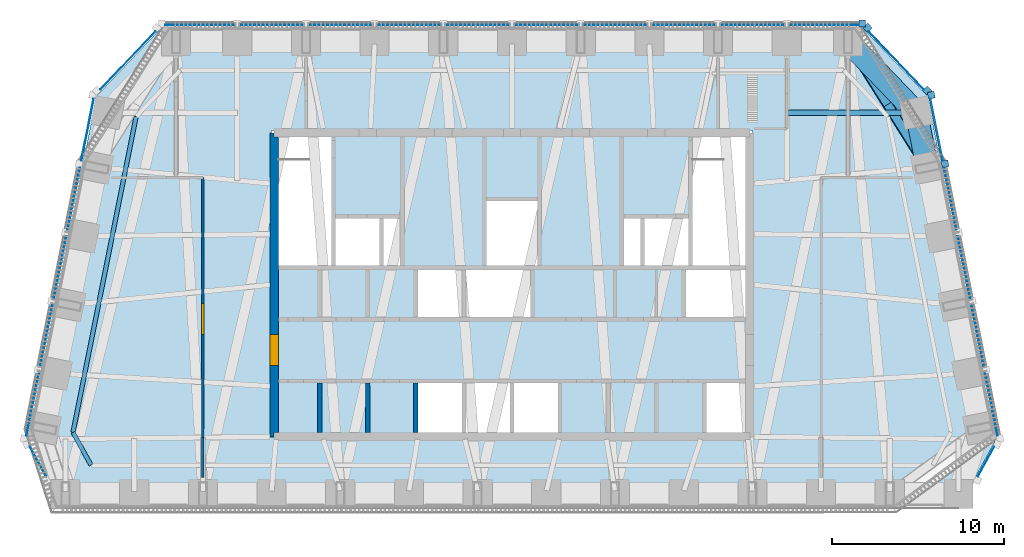
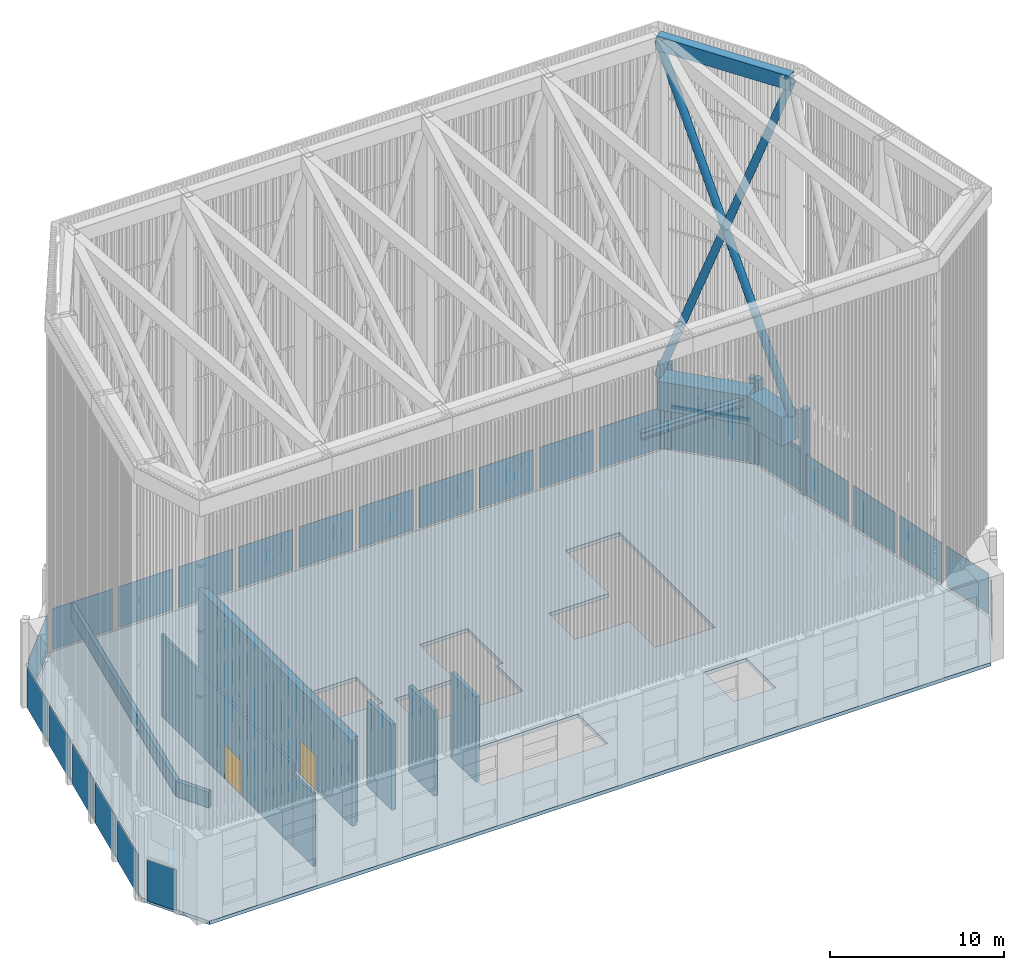
# One storey, part 4 of 15: 24 plates, 10 members, 8 walls, 3 beams, 2 doors, 1 slab, 2 openings, 7 elements without a shape of their own.
"""IFC4 building model written with IfcOpenShell, lengths in metres."""

from ifc_helpers import new_model, si_unit, direction, frame, frame_2d, origin, origin_2d, place, context, subcontext, project, spatial, polyline, rectangle, hollow_rectangle, hollow_circle, i_section, outline, extrude, material, layer, layer_set, material_profile, profile_set, type_object, element, fill, aggregate, save


model = new_model("IFC4")

# Units and contexts
model_context = context("Model", 3, precision=1e-05, world=origin(), true_north=direction((0.0, 1.0)))
body_context = subcontext(model_context, "Body", "Model", "MODEL_VIEW")
ifc_project = project(units=[si_unit("LENGTHUNIT", "METRE"), si_unit("AREAUNIT", "SQUARE_METRE"), si_unit("VOLUMEUNIT", "CUBIC_METRE"), si_unit("PLANEANGLEUNIT", "RADIAN"), si_unit("MASSUNIT", "GRAM", prefix="KILO")], contexts=[model_context])

# Site, building, storey
site_placement = place(None, origin())
site = spatial("IfcSite", under=ifc_project, at=site_placement, CompositionType="ELEMENT")
building_placement = place(site_placement, origin())
building = spatial("IfcBuilding", under=site, at=building_placement, Name="Isbrekke Arena Tower", CompositionType="ELEMENT")
storey_placement = place(building_placement, frame((0.0, 0.0, 324.0)))
storey = spatial("IfcBuildingStorey", under=building, at=storey_placement, Name="L76", CompositionType="ELEMENT", Elevation=324.0)

# Beam
ifc_material_1 = material(Name="Steel S355", Category="steel")
ifc_material_profile_1 = material_profile(ifc_material_1, i_section(OverallWidth=0.305908203125, OverallDepth=0.52392578125, WebThickness=0.02099609375, FlangeThickness=0.0400390625, FilletRadius=0.027099609375, at=origin_2d()), Name="HEM 500")
ifc_profile_set_1 = profile_set([ifc_material_profile_1], Name="Steel S355")
beam_type_1 = type_object("IfcBeamType", Name="B5 HEM 500", PredefinedType="BEAM", material=ifc_profile_set_1)
beam_1_placement = place(storey_placement, frame((23.40283203125, 25.029296875, 5.488037109375), z_axis=(-1.0, 0.0, 0.0), x_axis=(0.0, -1.0, 0.0)))
element("IfcBeam", 1, at=beam_1_placement, inside=storey, type_object=beam_type_1, Name="B5 beam E-E06 L76", PredefinedType="BEAM", context=body_context, shape_type="SweptSolid", body=[
    extrude(i_section(OverallWidth=0.305908203125, OverallDepth=0.52392578125, WebThickness=0.02099609375, FlangeThickness=0.0400390625, FilletRadius=0.027099609375, at=origin_2d()), origin(), (0.0, 0.0, 1.0), 7.40283203125),
])

# Members
ifc_material_2 = material(Name="Steel S355", Category="steel")
ifc_material_profile_2 = material_profile(ifc_material_2, hollow_rectangle(XDim=0.60009765625, YDim=1.0, WallThickness=0.030029296875, at=origin_2d()), Name="BOX 600x1000x30")
ifc_profile_set_2 = profile_set([ifc_material_profile_2], Name="Steel S355")
member_type_1 = type_object("IfcMemberType", Name="CF2 CROWN FRAME CAP RING BOX 600x1000x30", PredefinedType="USERDEFINED", material=ifc_profile_set_2)
member_1_placement = place(storey_placement, frame((24.19091796875, 21.838134765625, 29.5), z_axis=(-0.532518167412, 0.846418573388, 0.0), x_axis=(-0.846418573388, -0.532518167412, 0.0)))
element("IfcMember", 2, at=member_1_placement, inside=storey, type_object=member_type_1, Name="CF2 crown frame cap ring E05", ObjectType="CROWN FRAME CAP RING", PredefinedType="USERDEFINED", context=body_context, shape_type="SweptSolid", body=[
    extrude(hollow_rectangle(XDim=0.60009765625, YDim=1.0, WallThickness=0.030029296875, at=origin_2d()), origin(), (0.0, 0.0, 1.0), 8.668212890625),
])
ifc_material_3 = material(Name="Steel S355", Category="steel")
ifc_material_profile_3 = material_profile(ifc_material_3, hollow_circle(Radius=0.25390625, WallThickness=0.02001953125, at=origin_2d()), Name="CHS 508x20")
ifc_profile_set_3 = profile_set([ifc_material_profile_3], Name="Steel S355")
member_type_2 = type_object("IfcMemberType", Name="CF3 CROWN FRAME BRACE CHS 508x20", PredefinedType="BRACE", material=ifc_profile_set_3)
for number, where, z_axis, x_axis, name in (
    (3, (24.19091796875, 21.838134765625, 6.0), (-0.184287025429, 0.292917633056, 0.938209759331), (-0.846418573388, -0.532518167412, 0.0), "CF3 crown frame brace E05 1"),
    (4, (19.574951171875, 29.175048828125, 6.0), (0.184287025429, -0.292917633056, 0.938209759331), (0.846418573388, 0.532518167412, 0.0), "CF3 crown frame brace E05 2"),
):
    element("IfcMember", number, at=place(storey_placement, frame(where, z_axis=z_axis, x_axis=x_axis)), inside=storey, type_object=member_type_2, Name=name, PredefinedType="BRACE", context=body_context, shape_type="SweptSolid", body=[
        extrude(hollow_circle(Radius=0.25390625, WallThickness=0.02001953125, at=origin_2d()), origin(), (0.0, 0.0, 1.0), 25.047607421875),
    ])

# Curtain wall, members
ifc_material_4 = material(Name="Glazed aluminium curtain wall", Category="aluminium")
curtain_wall_type = type_object("IfcCurtainWallType", Name="CWR PLANT LOUVRE WALL", PredefinedType="USERDEFINED", material=ifc_material_4)
curtain_wall_1_placement = place(storey_placement, origin())
curtain_wall_1 = element("IfcCurtainWall", 5, at=curtain_wall_1_placement, inside=storey, type_object=curtain_wall_type, Name="CWR curtain wall L76-E", ObjectType="PLANT LOUVRE WALL", PredefinedType="USERDEFINED")
ifc_material_5 = material(Name="Aluminium mullion, pale brick slip cladding", Category="masonry")
ifc_material_profile_4 = material_profile(ifc_material_5, rectangle(XDim=0.39990234375, YDim=0.39990234375, at=origin_2d()), Name="PIER 400X400")
ifc_profile_set_4 = profile_set([ifc_material_profile_4], Name="Aluminium mullion, pale brick slip cladding")
member_type_3 = type_object("IfcMemberType", Name="CWR-M PIER MULLION 400 x 400", PredefinedType="MULLION", material=ifc_profile_set_4)
member_2_placement = place(storey_placement, frame((25.220703125, 22.044189453125, 0.0), z_axis=(0.0, 0.0, 1.0), x_axis=(-0.196116135138, 0.980580675691, 0.0)))
member_2 = element("IfcMember", 6, at=member_2_placement, type_object=member_type_3, Name="CWR-M mullion 5", PredefinedType="MULLION", context=body_context, shape_type="SweptSolid", body=[
    extrude(rectangle(XDim=0.39990234375, YDim=0.39990234375, at=origin_2d()), origin(), (0.0, 0.0, 1.0), 6.0),
])
member_3_placement = place(storey_placement, frame((24.420654296875, 26.044189453125, 0.0), z_axis=(0.0, 0.0, 1.0), x_axis=(-0.196116135138, 0.980580675691, 0.0)))
member_3 = element("IfcMember", 7, at=member_3_placement, type_object=member_type_3, Name="CWR-M mullion 6", PredefinedType="MULLION", context=body_context, shape_type="SweptSolid", body=[
    extrude(rectangle(XDim=0.39990234375, YDim=0.39990234375, at=origin_2d()), origin(), (0.0, 0.0, 1.0), 6.0),
])

curtain_wall_2_placement = place(storey_placement, origin())
curtain_wall_2 = element("IfcCurtainWall", 8, at=curtain_wall_2_placement, inside=storey, type_object=curtain_wall_type, Name="CWR curtain wall L76-EN", ObjectType="PLANT LOUVRE WALL", PredefinedType="USERDEFINED")
member_4_placement = place(storey_placement, frame((24.189208984375, 26.3017578125, 0.0), z_axis=(0.0, 0.0, 1.0), x_axis=(-0.68874946192, 0.72499943359, 0.0)))
member_4 = element("IfcMember", 9, at=member_4_placement, type_object=member_type_3, Name="CWR-M mullion 1", PredefinedType="MULLION", context=body_context, shape_type="SweptSolid", body=[
    extrude(rectangle(XDim=0.39990234375, YDim=0.39990234375, at=origin_2d()), origin(), (0.0, 0.0, 1.0), 6.0),
])
member_5_placement = place(storey_placement, frame((20.705322265625, 29.968994140625, 0.0), z_axis=(0.0, 0.0, 1.0), x_axis=(-0.68874946192, 0.72499943359, 0.0)))
member_5 = element("IfcMember", 10, at=member_5_placement, type_object=member_type_3, Name="CWR-M mullion 2", PredefinedType="MULLION", context=body_context, shape_type="SweptSolid", body=[
    extrude(rectangle(XDim=0.39990234375, YDim=0.39990234375, at=origin_2d()), origin(), (0.0, 0.0, 1.0), 6.0),
])

# Curtain wall, member
curtain_wall_3_placement = place(storey_placement, origin())
curtain_wall_3 = element("IfcCurtainWall", 11, at=curtain_wall_3_placement, inside=storey, type_object=curtain_wall_type, Name="CWR curtain wall L76-N", ObjectType="PLANT LOUVRE WALL", PredefinedType="USERDEFINED")
member_6_placement = place(storey_placement, frame((20.39990234375, 30.22509765625, 0.0), z_axis=(0.0, 0.0, 1.0), x_axis=(-1.0, 0.0, 0.0)))
member_6 = element("IfcMember", 12, at=member_6_placement, type_object=member_type_3, Name="CWR-M mullion 1", PredefinedType="MULLION", context=body_context, shape_type="SweptSolid", body=[
    extrude(rectangle(XDim=0.39990234375, YDim=0.39990234375, at=origin_2d()), origin(), (0.0, 0.0, 1.0), 6.0),
])

# Member
ifc_material_6 = material(Name="Aluminium transom", Category="aluminium")
ifc_material_profile_5 = material_profile(ifc_material_6, rectangle(XDim=0.1201171875, YDim=0.199951171875, at=origin_2d()), Name="TRANSOM 120X200")
ifc_profile_set_5 = profile_set([ifc_material_profile_5], Name="Aluminium transom")
member_type_4 = type_object("IfcMemberType", Name="CWR-T TRANSOM 120 x 200", PredefinedType="USERDEFINED", material=ifc_profile_set_5)
member_7_placement = place(storey_placement, frame((25.083251953125, 22.220703125, 3.0), z_axis=(-0.19609061241, 0.980585779891, 0.0), x_axis=(-0.980585779891, -0.19609061241, 0.0)))
member_7 = element("IfcMember", 13, at=member_7_placement, type_object=member_type_4, Name="CWR-T transom 5", ObjectType="TRANSOM", PredefinedType="USERDEFINED", context=body_context, shape_type="SweptSolid", body=[
    extrude(rectangle(XDim=0.1201171875, YDim=0.199951171875, at=origin_2d()), origin(), (0.0, 0.0, 1.0), 3.67919921875),
])

member_8_placement = place(storey_placement, frame((23.97900390625, 26.3779296875, 3.0), z_axis=(-0.688767367755, 0.724982422626, 0.0), x_axis=(-0.724982422626, -0.688767367755, 0.0)))
member_8 = element("IfcMember", 14, at=member_8_placement, type_object=member_type_4, Name="CWR-T transom 1", ObjectType="TRANSOM", PredefinedType="USERDEFINED", context=body_context, shape_type="SweptSolid", body=[
    extrude(rectangle(XDim=0.1201171875, YDim=0.199951171875, at=origin_2d()), origin(), (0.0, 0.0, 1.0), 4.658203125),
])

# Beams
ifc_material_7 = material(Name="Concrete B55 (C55/67)", Category="concrete")
ifc_material_profile_6 = material_profile(ifc_material_7, rectangle(XDim=1.300048828125, YDim=2.0, at=origin_2d()), Name="RC 1300x2000")
ifc_profile_set_6 = profile_set([ifc_material_profile_6], Name="Concrete B55 (C55/67)")
beam_type_2 = type_object("IfcBeamType", Name="SB4 RC 1300 x 2000", PredefinedType="SPANDREL", material=ifc_profile_set_6)
beam_2_placement = place(storey_placement, frame((24.16162109375, 21.9853515625, 5.0), z_axis=(-0.196116135138, 0.980580675691, 0.0), x_axis=(-0.980580675691, -0.196116135138, 0.0)))
element("IfcBeam", 15, at=beam_2_placement, inside=storey, type_object=beam_type_2, Name="SB4 spandrel E05-E06 L76", PredefinedType="SPANDREL", context=body_context, shape_type="SweptSolid", body=[
    extrude(rectangle(XDim=1.300048828125, YDim=2.0, at=origin_2d()), origin(), (0.0, 0.0, 1.0), 2.9541015625),
])
beam_3_placement = place(storey_placement, frame((23.448974609375, 25.137451171875, 5.0), z_axis=(-0.692339547635, 0.721571861134, 0.0), x_axis=(-0.721571861134, -0.692339547635, 0.0)))
element("IfcBeam", 16, at=beam_3_placement, inside=storey, type_object=beam_type_2, Name="SB4 spandrel E06-N01 L76", PredefinedType="SPANDREL", context=body_context, shape_type="SweptSolid", body=[
    extrude(rectangle(XDim=1.300048828125, YDim=2.0, at=origin_2d()), origin(), (0.0, 0.0, 1.0), 5.4453125),
])

# Curtain wall, plate
curtain_wall_4_placement = place(storey_placement, origin())
curtain_wall_4 = element("IfcCurtainWall", 17, at=curtain_wall_4_placement, inside=storey, type_object=curtain_wall_type, Name="CWR curtain wall L76-SE", ObjectType="PLANT LOUVRE WALL", PredefinedType="USERDEFINED")
ifc_material_8 = material(Name="Aluminium louvre", Category="aluminium")
ifc_layer_1 = layer(ifc_material_8, 0.031982421875)
ifc_layer_set_1 = layer_set([ifc_layer_1], Name="CWR-P LOUVRE PANEL")
plate_type = type_object("IfcPlateType", Name="CWR-P LOUVRE PANEL", PredefinedType="CURTAIN_PANEL", material=ifc_layer_set_1)
plate_1_placement = place(storey_placement, frame((27.604248046875, 4.70947265625, 0.02001953125), z_axis=(0.0, 0.0, 1.0), x_axis=(0.481918749773, 0.876215908676, 0.0)))
plate_1 = element("IfcPlate", 18, at=plate_1_placement, type_object=plate_type, Name="CWR-P panel 1", PredefinedType="CURTAIN_PANEL", context=body_context, shape_type="SweptSolid", body=[
    extrude(rectangle(XDim=1.97607421875, YDim=0.031982421875, at=origin_2d()), origin(), (0.0, 0.0, 1.0), 2.8798828125),
])
aggregate(curtain_wall_4, [plate_1])

# Plate
plate_2_placement = place(storey_placement, frame((27.922607421875, 8.0244140625, 0.02001953125), z_axis=(0.0, 0.0, 1.0), x_axis=(-0.196116135138, 0.980580675691, 0.0)))
plate_2 = element("IfcPlate", 19, at=plate_2_placement, type_object=plate_type, Name="CWR-P panel 1", PredefinedType="CURTAIN_PANEL", context=body_context, shape_type="SweptSolid", body=[
    extrude(rectangle(XDim=3.67919921875, YDim=0.031982421875, at=origin_2d()), origin(), (0.0, 0.0, 1.0), 2.8798828125),
])

plate_3_placement = place(storey_placement, frame((27.12255859375, 12.0244140625, 0.02001953125), z_axis=(0.0, 0.0, 1.0), x_axis=(-0.196116135138, 0.980580675691, 0.0)))
plate_3 = element("IfcPlate", 20, at=plate_3_placement, type_object=plate_type, Name="CWR-P panel 2", PredefinedType="CURTAIN_PANEL", context=body_context, shape_type="SweptSolid", body=[
    extrude(rectangle(XDim=3.67919921875, YDim=0.031982421875, at=origin_2d()), origin(), (0.0, 0.0, 1.0), 2.8798828125),
])

plate_4_placement = place(storey_placement, frame((26.322509765625, 16.0244140625, 0.02001953125), z_axis=(0.0, 0.0, 1.0), x_axis=(-0.196116135138, 0.980580675691, 0.0)))
plate_4 = element("IfcPlate", 21, at=plate_4_placement, type_object=plate_type, Name="CWR-P panel 3", PredefinedType="CURTAIN_PANEL", context=body_context, shape_type="SweptSolid", body=[
    extrude(rectangle(XDim=3.67919921875, YDim=0.031982421875, at=origin_2d()), origin(), (0.0, 0.0, 1.0), 2.8798828125),
])

plate_5_placement = place(storey_placement, frame((25.5224609375, 20.0244140625, 0.02001953125), z_axis=(0.0, 0.0, 1.0), x_axis=(-0.196116135138, 0.980580675691, 0.0)))
plate_5 = element("IfcPlate", 22, at=plate_5_placement, type_object=plate_type, Name="CWR-P panel 4", PredefinedType="CURTAIN_PANEL", context=body_context, shape_type="SweptSolid", body=[
    extrude(rectangle(XDim=3.67919921875, YDim=0.031982421875, at=origin_2d()), origin(), (0.0, 0.0, 1.0), 2.8798828125),
])

plate_6_placement = place(storey_placement, frame((24.72265625, 24.0244140625, 0.02001953125), z_axis=(0.0, 0.0, 1.0), x_axis=(-0.196116135138, 0.980580675691, 0.0)))
plate_6 = element("IfcPlate", 23, at=plate_6_placement, type_object=plate_type, Name="CWR-P panel 5", PredefinedType="CURTAIN_PANEL", context=body_context, shape_type="SweptSolid", body=[
    extrude(rectangle(XDim=3.67919921875, YDim=0.031982421875, at=origin_2d()), origin(), (0.0, 0.0, 1.0), 2.8798828125),
])

aggregate(curtain_wall_1, [member_2, member_3, plate_2, plate_3, plate_4, plate_5, member_7, plate_6])

plate_7_placement = place(storey_placement, frame((22.374755859375, 28.06640625, 0.02001953125), z_axis=(0.0, 0.0, 1.0), x_axis=(-0.68874946192, 0.72499943359, 0.0)))
plate_7 = element("IfcPlate", 24, at=plate_7_placement, type_object=plate_type, Name="CWR-P panel 1", PredefinedType="CURTAIN_PANEL", context=body_context, shape_type="SweptSolid", body=[
    extrude(rectangle(XDim=4.658203125, YDim=0.031982421875, at=origin_2d()), origin(), (0.0, 0.0, 1.0), 2.8798828125),
])

aggregate(curtain_wall_2, [member_4, member_5, member_8, plate_7])

plate_8_placement = place(storey_placement, frame((18.199951171875, 30.125, 0.02001953125), z_axis=(0.0, 0.0, 1.0), x_axis=(-1.0, 0.0, 0.0)))
plate_8 = element("IfcPlate", 25, at=plate_8_placement, type_object=plate_type, Name="CWR-P panel 1", PredefinedType="CURTAIN_PANEL", context=body_context, shape_type="SweptSolid", body=[
    extrude(rectangle(XDim=4.0, YDim=0.031982421875, at=origin_2d()), origin(), (0.0, 0.0, 1.0), 2.8798828125),
])

plate_9_placement = place(storey_placement, frame((14.0, 30.125, 0.02001953125), z_axis=(0.0, 0.0, 1.0), x_axis=(-1.0, 0.0, 0.0)))
plate_9 = element("IfcPlate", 26, at=plate_9_placement, type_object=plate_type, Name="CWR-P panel 2", PredefinedType="CURTAIN_PANEL", context=body_context, shape_type="SweptSolid", body=[
    extrude(rectangle(XDim=3.60009765625, YDim=0.031982421875, at=origin_2d()), origin(), (0.0, 0.0, 1.0), 2.8798828125),
])

plate_10_placement = place(storey_placement, frame((10.0, 30.125, 0.02001953125), z_axis=(0.0, 0.0, 1.0), x_axis=(-1.0, 0.0, 0.0)))
plate_10 = element("IfcPlate", 27, at=plate_10_placement, type_object=plate_type, Name="CWR-P panel 3", PredefinedType="CURTAIN_PANEL", context=body_context, shape_type="SweptSolid", body=[
    extrude(rectangle(XDim=3.60009765625, YDim=0.031982421875, at=origin_2d()), origin(), (0.0, 0.0, 1.0), 2.8798828125),
])

plate_11_placement = place(storey_placement, frame((6.0, 30.125, 0.02001953125), z_axis=(0.0, 0.0, 1.0), x_axis=(-1.0, 0.0, 0.0)))
plate_11 = element("IfcPlate", 28, at=plate_11_placement, type_object=plate_type, Name="CWR-P panel 4", PredefinedType="CURTAIN_PANEL", context=body_context, shape_type="SweptSolid", body=[
    extrude(rectangle(XDim=3.60009765625, YDim=0.031982421875, at=origin_2d()), origin(), (0.0, 0.0, 1.0), 2.8798828125),
])

plate_12_placement = place(storey_placement, frame((2.0, 30.125, 0.02001953125), z_axis=(0.0, 0.0, 1.0), x_axis=(-1.0, 0.0, 0.0)))
plate_12 = element("IfcPlate", 29, at=plate_12_placement, type_object=plate_type, Name="CWR-P panel 5", PredefinedType="CURTAIN_PANEL", context=body_context, shape_type="SweptSolid", body=[
    extrude(rectangle(XDim=3.60009765625, YDim=0.031982421875, at=origin_2d()), origin(), (0.0, 0.0, 1.0), 2.8798828125),
])

plate_13_placement = place(storey_placement, frame((-2.0, 30.125, 0.02001953125), z_axis=(0.0, 0.0, 1.0), x_axis=(-1.0, 0.0, 0.0)))
plate_13 = element("IfcPlate", 30, at=plate_13_placement, type_object=plate_type, Name="CWR-P panel 6", PredefinedType="CURTAIN_PANEL", context=body_context, shape_type="SweptSolid", body=[
    extrude(rectangle(XDim=3.60009765625, YDim=0.031982421875, at=origin_2d()), origin(), (0.0, 0.0, 1.0), 2.8798828125),
])

plate_14_placement = place(storey_placement, frame((-6.0, 30.125, 0.02001953125), z_axis=(0.0, 0.0, 1.0), x_axis=(-1.0, 0.0, 0.0)))
plate_14 = element("IfcPlate", 31, at=plate_14_placement, type_object=plate_type, Name="CWR-P panel 7", PredefinedType="CURTAIN_PANEL", context=body_context, shape_type="SweptSolid", body=[
    extrude(rectangle(XDim=3.60009765625, YDim=0.031982421875, at=origin_2d()), origin(), (0.0, 0.0, 1.0), 2.8798828125),
])

plate_15_placement = place(storey_placement, frame((-10.0, 30.125, 0.02001953125), z_axis=(0.0, 0.0, 1.0), x_axis=(-1.0, 0.0, 0.0)))
plate_15 = element("IfcPlate", 32, at=plate_15_placement, type_object=plate_type, Name="CWR-P panel 8", PredefinedType="CURTAIN_PANEL", context=body_context, shape_type="SweptSolid", body=[
    extrude(rectangle(XDim=3.60009765625, YDim=0.031982421875, at=origin_2d()), origin(), (0.0, 0.0, 1.0), 2.8798828125),
])

plate_16_placement = place(storey_placement, frame((-14.0, 30.125, 0.02001953125), z_axis=(0.0, 0.0, 1.0), x_axis=(-1.0, 0.0, 0.0)))
plate_16 = element("IfcPlate", 33, at=plate_16_placement, type_object=plate_type, Name="CWR-P panel 9", PredefinedType="CURTAIN_PANEL", context=body_context, shape_type="SweptSolid", body=[
    extrude(rectangle(XDim=3.60009765625, YDim=0.031982421875, at=origin_2d()), origin(), (0.0, 0.0, 1.0), 2.8798828125),
])

plate_17_placement = place(storey_placement, frame((-18.199951171875, 30.125, 0.02001953125), z_axis=(0.0, 0.0, 1.0), x_axis=(-1.0, 0.0, 0.0)))
plate_17 = element("IfcPlate", 34, at=plate_17_placement, type_object=plate_type, Name="CWR-P panel 10", PredefinedType="CURTAIN_PANEL", context=body_context, shape_type="SweptSolid", body=[
    extrude(rectangle(XDim=4.0, YDim=0.031982421875, at=origin_2d()), origin(), (0.0, 0.0, 1.0), 2.8798828125),
])

aggregate(curtain_wall_3, [member_6, plate_8, plate_9, plate_10, plate_11, plate_12, plate_13, plate_14, plate_15, plate_16, plate_17])

# Curtain wall, plate
curtain_wall_5_placement = place(storey_placement, origin())
curtain_wall_5 = element("IfcCurtainWall", 35, at=curtain_wall_5_placement, inside=storey, type_object=curtain_wall_type, Name="CWR curtain wall L76-NW", ObjectType="PLANT LOUVRE WALL", PredefinedType="USERDEFINED")
plate_18_placement = place(storey_placement, frame((-22.37451171875, 28.066650390625, 0.02001953125), z_axis=(0.0, 0.0, 1.0), x_axis=(-0.68874946192, -0.72499943359, 0.0)))
plate_18 = element("IfcPlate", 36, at=plate_18_placement, type_object=plate_type, Name="CWR-P panel 1", PredefinedType="CURTAIN_PANEL", context=body_context, shape_type="SweptSolid", body=[
    extrude(rectangle(XDim=4.6572265625, YDim=0.031982421875, at=origin_2d()), origin(), (0.0, 0.0, 1.0), 2.8798828125),
])
aggregate(curtain_wall_5, [plate_18])

# Curtain wall, plates
curtain_wall_6_placement = place(storey_placement, origin())
curtain_wall_6 = element("IfcCurtainWall", 37, at=curtain_wall_6_placement, inside=storey, type_object=curtain_wall_type, Name="CWR curtain wall L76-W", ObjectType="PLANT LOUVRE WALL", PredefinedType="USERDEFINED")
plate_19_placement = place(storey_placement, frame((-24.72265625, 24.0244140625, 0.02001953125), z_axis=(0.0, 0.0, 1.0), x_axis=(-0.196116135138, -0.980580675691, 0.0)))
plate_19 = element("IfcPlate", 38, at=plate_19_placement, type_object=plate_type, Name="CWR-P panel 1", PredefinedType="CURTAIN_PANEL", context=body_context, shape_type="SweptSolid", body=[
    extrude(rectangle(XDim=3.67919921875, YDim=0.031982421875, at=origin_2d()), origin(), (0.0, 0.0, 1.0), 2.8798828125),
])
plate_20_placement = place(storey_placement, frame((-25.5224609375, 20.0244140625, 0.02001953125), z_axis=(0.0, 0.0, 1.0), x_axis=(-0.196116135138, -0.980580675691, 0.0)))
plate_20 = element("IfcPlate", 39, at=plate_20_placement, type_object=plate_type, Name="CWR-P panel 2", PredefinedType="CURTAIN_PANEL", context=body_context, shape_type="SweptSolid", body=[
    extrude(rectangle(XDim=3.67919921875, YDim=0.031982421875, at=origin_2d()), origin(), (0.0, 0.0, 1.0), 2.8798828125),
])
plate_21_placement = place(storey_placement, frame((-26.322509765625, 16.0244140625, 0.02001953125), z_axis=(0.0, 0.0, 1.0), x_axis=(-0.196116135138, -0.980580675691, 0.0)))
plate_21 = element("IfcPlate", 40, at=plate_21_placement, type_object=plate_type, Name="CWR-P panel 3", PredefinedType="CURTAIN_PANEL", context=body_context, shape_type="SweptSolid", body=[
    extrude(rectangle(XDim=3.67919921875, YDim=0.031982421875, at=origin_2d()), origin(), (0.0, 0.0, 1.0), 2.8798828125),
])
plate_22_placement = place(storey_placement, frame((-27.12255859375, 12.0244140625, 0.02001953125), z_axis=(0.0, 0.0, 1.0), x_axis=(-0.196116135138, -0.980580675691, 0.0)))
plate_22 = element("IfcPlate", 41, at=plate_22_placement, type_object=plate_type, Name="CWR-P panel 4", PredefinedType="CURTAIN_PANEL", context=body_context, shape_type="SweptSolid", body=[
    extrude(rectangle(XDim=3.67919921875, YDim=0.031982421875, at=origin_2d()), origin(), (0.0, 0.0, 1.0), 2.8798828125),
])
plate_23_placement = place(storey_placement, frame((-27.922607421875, 8.0244140625, 0.02001953125), z_axis=(0.0, 0.0, 1.0), x_axis=(-0.196116135138, -0.980580675691, 0.0)))
plate_23 = element("IfcPlate", 42, at=plate_23_placement, type_object=plate_type, Name="CWR-P panel 5", PredefinedType="CURTAIN_PANEL", context=body_context, shape_type="SweptSolid", body=[
    extrude(rectangle(XDim=3.67919921875, YDim=0.031982421875, at=origin_2d()), origin(), (0.0, 0.0, 1.0), 2.8798828125),
])
aggregate(curtain_wall_6, [plate_19, plate_20, plate_21, plate_22, plate_23])

# Curtain wall, plate
curtain_wall_7_placement = place(storey_placement, origin())
curtain_wall_7 = element("IfcCurtainWall", 43, at=curtain_wall_7_placement, inside=storey, type_object=curtain_wall_type, Name="CWR curtain wall L76-WS", ObjectType="PLANT LOUVRE WALL", PredefinedType="USERDEFINED")
plate_24_placement = place(storey_placement, frame((-27.60400390625, 4.708984375, 0.02001953125), z_axis=(0.0, 0.0, 1.0), x_axis=(0.481918749773, -0.876215908676, 0.0)))
plate_24 = element("IfcPlate", 44, at=plate_24_placement, type_object=plate_type, Name="CWR-P panel 1", PredefinedType="CURTAIN_PANEL", context=body_context, shape_type="SweptSolid", body=[
    extrude(rectangle(XDim=1.97802734375, YDim=0.031982421875, at=origin_2d()), origin(), (0.0, 0.0, 1.0), 2.8798828125),
])
aggregate(curtain_wall_7, [plate_24])

# Slab
ifc_material_9 = material(Name="Concrete B35 (C35/45)", Category="concrete")
ifc_layer_2 = layer(ifc_material_9, 0.25)
ifc_layer_set_2 = layer_set([ifc_layer_2], Name="FS2 PLANT FLOOR 250")
slab_type = type_object("IfcSlabType", Name="FS2 PLANT FLOOR 250", PredefinedType="FLOOR", material=ifc_layer_set_2)
slab_placement = place(storey_placement, frame((0.0, 0.0, -0.25)))
element("IfcSlab", 45, at=slab_placement, inside=storey, type_object=slab_type, Name="FS2 floor slab L76", PredefinedType="FLOOR", context=body_context, shape_type="SweptSolid", body=[
    extrude(outline(polyline([(-26.0, 2.0), (26.0, 2.0), (28.199951171875, 6.0), (24.199951171875, 26.0), (20.39990234375, 30.0), (-20.39990234375, 30.0), (-24.199951171875, 26.0), (-28.199951171875, 6.0), (-26.0, 2.0)]), holes=[polyline([(2.800048828125, 9.39990234375), (2.800048828125, 6.0), (-5.60009765625, 6.0), (-5.60009765625, 9.39990234375), (2.800048828125, 9.39990234375)]), polyline([(11.199951171875, 6.0), (11.199951171875, 9.39990234375), (14.0, 9.39990234375), (14.0, 6.0), (11.199951171875, 6.0)]), polyline([(-5.60009765625, 13.0), (-5.60009765625, 16.0), (-1.60009765625, 16.0), (-1.60009765625, 20.0), (1.60009765625, 20.0), (1.60009765625, 16.0), (1.199951171875, 16.0), (1.199951171875, 13.0), (-5.60009765625, 13.0)]), polyline([(14.0, 13.0), (10.0, 13.0), (10.0, 16.0), (6.39990234375, 16.0), (6.39990234375, 19.0), (10.39990234375, 19.0), (10.39990234375, 24.0), (14.0, 24.0), (14.0, 13.0)]), polyline([(-6.39990234375, 19.0), (-6.39990234375, 16.0), (-14.0, 16.0), (-14.0, 24.0), (-10.39990234375, 24.0), (-10.39990234375, 19.0), (-6.39990234375, 19.0)])]), origin(), (0.0, 0.0, 1.0), 0.25),
])

# Wall, opening, door
ifc_material_10 = material(Name="Concrete B55 (C55/67)", Category="concrete")
ifc_layer_3 = layer(ifc_material_10, 0.5)
ifc_layer_set_3 = layer_set([ifc_layer_3], Name="CW5 CORE WALL 500")
wall_type_1 = type_object("IfcWallType", Name="CW5 CORE WALL 500", PredefinedType="SHEAR", material=ifc_layer_set_3)
wall_1_placement = place(storey_placement, frame((-13.85009765625, 23.85009765625, 0.0), z_axis=(0.0, 0.0, 1.0), x_axis=(0.0, -1.0, 0.0)))
wall_1 = element("IfcWall", 46, at=wall_1_placement, inside=storey, type_object=wall_type_1, Name="Core wall W L76", PredefinedType="SHEAR", context=body_context, shape_type="SweptSolid", body=[
    extrude(outline(polyline([(0.0, -0.25), (17.7001953125, -0.25), (17.7001953125, 0.0), (17.4501953125, 0.0), (17.4501953125, 0.25), (0.25, 0.25), (0.25, 0.0), (0.0, 0.0), (0.0, -0.25)])), origin(), (0.0, 0.0, 1.0), 6.0),
])
opening_1_placement = place(wall_1_placement, frame((11.75, 0.0, 0.0)))
opening_1 = element("IfcOpeningElement", 47, at=opening_1_placement, cuts=wall_1, Name="Opening D1", PredefinedType="OPENING", context=body_context, shape_type="SweptSolid", body=[
    extrude(rectangle(XDim=1.800048828125, YDim=2.39990234375, at=frame_2d((0.89990234375, 1.199951171875))), frame((0.0, 0.264892578125, 0.0), z_axis=(0.0, -1.0, 0.0), x_axis=(1.0, 0.0, 0.0)), (0.0, 0.0, 1.0), 0.52978515625),
])
ifc_material_11 = material(Name="Steel-framed glazed fire door", Category="steel")
door_type_1 = type_object("IfcDoorType", Name="D1 CORE LOBBY DOOR 1800 x 2400", OperationType="DOUBLE_DOOR_SINGLE_SWING", PredefinedType="DOOR", material=ifc_material_11)
door_1_placement = place(opening_1_placement, origin())
door_1 = element("IfcDoor", 48, at=door_1_placement, inside=storey, type_object=door_type_1, Name="D1 lift lobby door west L76", OperationType="DOUBLE_DOOR_SINGLE_SWING", OverallHeight=2.39990234375, OverallWidth=1.800048828125, PredefinedType="DOOR", context=body_context, shape_type="SweptSolid", body=[
    extrude(rectangle(XDim=1.800048828125, YDim=2.39990234375, at=frame_2d((0.89990234375, 1.199951171875))), frame((0.0, 0.249755859375, 0.0), z_axis=(0.0, -1.0, 0.0), x_axis=(1.0, 0.0, 0.0)), (0.0, 0.0, 1.0), 0.49951171875),
])
fill(opening_1, door_1)

# Walls
ifc_material_12 = material(Name="Concrete B45 (C45/55)", Category="concrete")
ifc_layer_4 = layer(ifc_material_12, 0.25)
ifc_layer_set_4 = layer_set([ifc_layer_4], Name="CW6 SHAFT WALL 250")
wall_type_2 = type_object("IfcWallType", Name="CW6 SHAFT WALL 250", PredefinedType="SHEAR", material=ifc_layer_set_4)
for number, where, z_axis, x_axis, name in (
    (49, (-11.199951171875, 6.39990234375, 0.0), (0.0, 0.0, 1.0), (0.0, 1.0, 0.0), "Core wall SS01 L76"),
    (50, (-8.39990234375, 6.39990234375, 0.0), (0.0, 0.0, 1.0), (0.0, 1.0, 0.0), "Core wall SS02 L76"),
    (51, (-5.60009765625, 6.39990234375, 0.0), (0.0, 0.0, 1.0), (0.0, 1.0, 0.0), "Core wall SS03 L76"),
):
    element("IfcWall", number, at=place(storey_placement, frame(where, z_axis=z_axis, x_axis=x_axis)), inside=storey, type_object=wall_type_2, Name=name, PredefinedType="SHEAR", context=body_context, shape_type="SweptSolid", body=[
        extrude(rectangle(XDim=2.875, YDim=0.25, at=frame_2d((1.4375, 0.0))), origin(), (0.0, 0.0, 1.0), 6.0),
    ])
ifc_material_13 = material(Name="Gypsum board fire-rated partition on steel studs, two layers each side", Category="steel")
ifc_layer_5 = layer(ifc_material_13, 0.14990234375)
ifc_layer_set_5 = layer_set([ifc_layer_5], Name="IW5 FIRE-RATED PARTITION 150")
wall_type_3 = type_object("IfcWallType", Name="IW5 FIRE-RATED PARTITION 150", PredefinedType="PARTITIONING", material=ifc_layer_set_5)
wall_2_placement = place(storey_placement, frame((-18.0, 3.780029296875, 0.0), z_axis=(0.0, 0.0, 1.0), x_axis=(0.0, 1.0, 0.0)))
element("IfcWall", 52, at=wall_2_placement, inside=storey, type_object=wall_type_3, Name="IW5 fire-rated partition L76 plant WWA", PredefinedType="PARTITIONING", context=body_context, shape_type="SweptSolid", body=[
    extrude(rectangle(XDim=2.330322265625, YDim=0.14990234375, at=frame_2d((1.1650390625, 0.0))), origin(), (0.0, 0.0, 1.0), 5.1298828125),
])

# Wall, opening, door
wall_3_placement = place(storey_placement, frame((-18.0, 6.1103515625, 0.0), z_axis=(0.0, 0.0, 1.0), x_axis=(0.0, 1.0, 0.0)))
wall_3 = element("IfcWall", 53, at=wall_3_placement, inside=storey, type_object=wall_type_3, Name="IW5 fire-rated partition L76 plant WWA", PredefinedType="PARTITIONING", context=body_context, shape_type="SweptSolid", body=[
    extrude(rectangle(XDim=15.129638671875, YDim=0.14990234375, at=frame_2d((7.56494140625, 0.0))), origin(), (0.0, 0.0, 1.0), 5.75),
])
opening_2_placement = place(wall_3_placement, frame((5.989501953125, 0.0, 0.0)))
opening_2 = element("IfcOpeningElement", 54, at=opening_2_placement, cuts=wall_3, Name="Opening D8", PredefinedType="OPENING", context=body_context, shape_type="SweptSolid", body=[
    extrude(rectangle(XDim=1.800048828125, YDim=2.39990234375, at=frame_2d((0.89990234375, 1.199951171875))), frame((0.0, 0.08984375, 0.0), z_axis=(0.0, -1.0, 0.0), x_axis=(1.0, 0.0, 0.0)), (0.0, 0.0, 1.0), 0.1796875),
])
ifc_material_14 = material(Name="Steel fire door", Category="steel")
door_type_2 = type_object("IfcDoorType", Name="D8 PLANT ROOM DOOR 1800 x 2400", OperationType="DOUBLE_DOOR_SINGLE_SWING", PredefinedType="DOOR", material=ifc_material_14)
door_2_placement = place(opening_2_placement, origin())
door_2 = element("IfcDoor", 55, at=door_2_placement, inside=storey, type_object=door_type_2, Name="D8 smoke extract plant room door L76", OperationType="DOUBLE_DOOR_SINGLE_SWING", OverallHeight=2.39990234375, OverallWidth=1.800048828125, PredefinedType="DOOR", context=body_context, shape_type="SweptSolid", body=[
    extrude(rectangle(XDim=1.800048828125, YDim=2.39990234375, at=frame_2d((0.89990234375, 1.199951171875))), frame((0.0, 0.07470703125, 0.0), z_axis=(0.0, -1.0, 0.0), x_axis=(1.0, 0.0, 0.0)), (0.0, 0.0, 1.0), 0.1494140625),
])
fill(opening_2, door_2)

# Walls
ifc_material_15 = material(Name="Concrete B45 (C45/55)", Category="concrete")
ifc_layer_6 = layer(ifc_material_15, 0.25)
ifc_layer_set_6 = layer_set([ifc_layer_6], Name="PW1 PARAPET WALL 250")
wall_type_4 = type_object("IfcWallType", Name="PW1 PARAPET WALL 250", PredefinedType="PARAPET", material=ifc_layer_set_6)
wall_4_placement = place(storey_placement, frame((-21.89013671875, 24.8017578125, 6.0), z_axis=(0.0, 0.0, 1.0), x_axis=(-0.196118637634, -0.980580175188, 0.0)))
element("IfcWall", 56, at=wall_4_placement, inside=storey, type_object=wall_type_4, Name="PW1 tower roof parapet 7", PredefinedType="PARAPET", context=body_context, shape_type="SweptSolid", body=[
    extrude(rectangle(XDim=18.76123046875, YDim=0.25, at=frame_2d((9.380615234375, 0.0))), origin(), (0.0, 0.0, 1.0), 1.10009765625),
])
wall_5_placement = place(storey_placement, frame((-25.569580078125, 6.40478515625, 6.0), z_axis=(0.0, 0.0, 1.0), x_axis=(0.481996345575, -0.876173226509, 0.0)))
element("IfcWall", 57, at=wall_5_placement, inside=storey, type_object=wall_type_4, Name="PW1 tower roof parapet 8", PredefinedType="PARAPET", context=body_context, shape_type="SweptSolid", body=[
    extrude(rectangle(XDim=2.174072265625, YDim=0.25, at=frame_2d((1.0869140625, 0.0))), origin(), (0.0, 0.0, 1.0), 1.10009765625),
])

save(model, "model.ifc")
